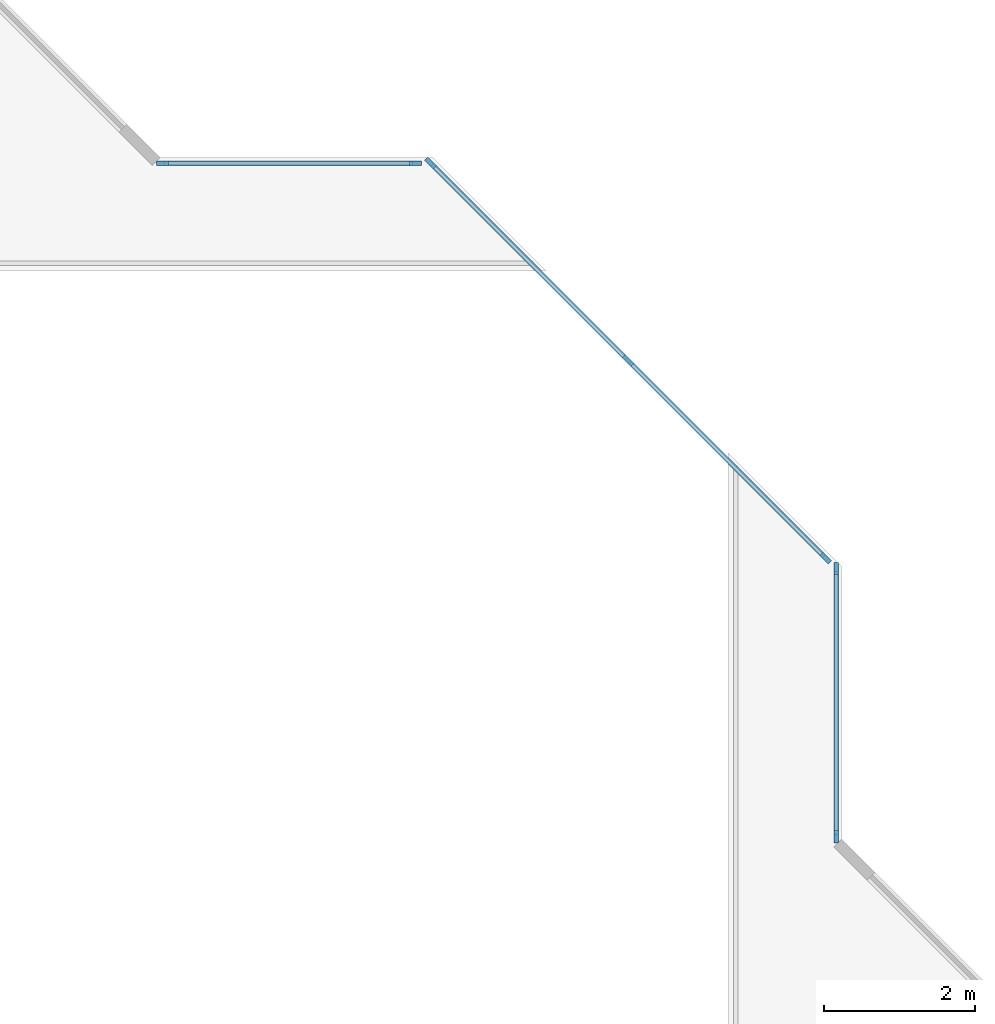
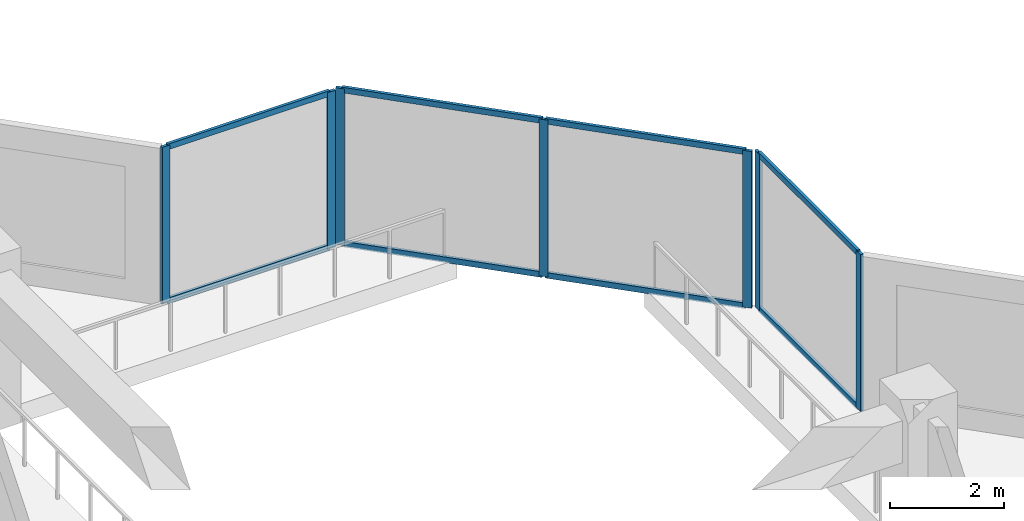
# One storey, part 2 of 16: 15 members, 3 elements without a shape of their own.
"""IFC4 building model written with IfcOpenShell, lengths in metres."""

from ifc_helpers import new_model, si_unit, direction, frame, origin, origin_2d, place, context, subcontext, project, spatial, rectangle, extrude, material, layer, layer_set, material_profile, profile_set, type_object, element, aggregate, save


model = new_model("IFC4")

# Units and contexts
model_context = context("Model", 3, precision=1e-05, world=origin(), true_north=direction((0.0, 1.0)))
body_context = subcontext(model_context, "Body", "Model", "MODEL_VIEW")
ifc_project = project(units=[si_unit("LENGTHUNIT", "METRE"), si_unit("AREAUNIT", "SQUARE_METRE"), si_unit("VOLUMEUNIT", "CUBIC_METRE"), si_unit("PLANEANGLEUNIT", "RADIAN"), si_unit("MASSUNIT", "GRAM", prefix="KILO")], contexts=[model_context])

# Site, building, storey
site_placement = place(None, origin())
site = spatial("IfcSite", under=ifc_project, at=site_placement, CompositionType="ELEMENT")
building_placement = place(site_placement, origin())
building = spatial("IfcBuilding", under=site, at=building_placement, Name="Chenar Terraces", CompositionType="ELEMENT")
storey_placement = place(building_placement, frame((0.0, 0.0, 103.14990234375)))
storey = spatial("IfcBuildingStorey", under=building, at=storey_placement, Name="L23", CompositionType="ELEMENT", Elevation=103.14990234375)

# Curtain wall, members
ifc_material_1 = material(Name="Aluminium framed glazing", Category="aluminium")
ifc_layer = layer(ifc_material_1, 0.14990234375)
ifc_layer_set = layer_set([ifc_layer], Name="Aluminium framed glazing")
curtain_wall_type = type_object("IfcCurtainWallType", Name="Atrium curtain wall", PredefinedType="NOTDEFINED", material=ifc_layer_set)
placement = place(storey_placement, origin())
curtain_wall_1 = element("IfcCurtainWall", 1, at=placement, inside=storey, type_object=curtain_wall_type, Name="Atrium curtain wall", PredefinedType="NOTDEFINED")
ifc_material_2 = material(Name="Aluminium", Category="aluminium")
ifc_material_profile_1 = material_profile(ifc_material_2, rectangle(XDim=0.06005859375, YDim=0.159912109375, at=origin_2d()), Name="Atrium glazing mullion 60 x 160")
ifc_profile_set_1 = profile_set([ifc_material_profile_1], Name="Aluminium")
member_type_1 = type_object("IfcMemberType", Name="Atrium glazing mullion 60 x 160", PredefinedType="MULLION", material=ifc_profile_set_1)
member_1_placement = place(storey_placement, frame((37.425048828125, 28.530029296875, 0.0), z_axis=(0.0, 0.0, 1.0), x_axis=(-1.0, 0.0, 0.0)))
member_1 = element("IfcMember", 2, at=member_1_placement, type_object=member_type_1, Name="CW1-1 mullion 1", PredefinedType="MULLION", context=body_context, shape_type="SweptSolid", body=[
    extrude(rectangle(XDim=0.06005859375, YDim=0.159912109375, at=origin_2d()), origin(), (0.0, 0.0, 1.0), 3.35009765625),
])
member_2_placement = place(storey_placement, frame((37.425048828125, 32.070068359375, 0.0), z_axis=(0.0, 0.0, 1.0), x_axis=(-1.0, 0.0, 0.0)))
member_2 = element("IfcMember", 3, at=member_2_placement, type_object=member_type_1, Name="CW1-1 mullion 2", PredefinedType="MULLION", context=body_context, shape_type="SweptSolid", body=[
    extrude(rectangle(XDim=0.06005859375, YDim=0.159912109375, at=origin_2d()), origin(), (0.0, 0.0, 1.0), 3.35009765625),
])

curtain_wall_2 = element("IfcCurtainWall", 4, at=placement, inside=storey, type_object=curtain_wall_type, Name="Atrium curtain wall", PredefinedType="NOTDEFINED")
member_3_placement = place(storey_placement, frame((37.284423828125, 32.209716796875, 0.0), z_axis=(0.0, 0.0, 1.0), x_axis=(-0.707106781187, -0.707106781187, 0.0)))
member_3 = element("IfcMember", 5, at=member_3_placement, type_object=member_type_1, Name="CW1-2 mullion 1", PredefinedType="MULLION", context=body_context, shape_type="SweptSolid", body=[
    extrude(rectangle(XDim=0.06005859375, YDim=0.159912109375, at=origin_2d()), origin(), (0.0, 0.0, 1.0), 3.35009765625),
])
member_4_placement = place(storey_placement, frame((34.67626953125, 34.817626953125, 0.0), z_axis=(0.0, 0.0, 1.0), x_axis=(-0.707106781187, -0.707106781187, 0.0)))
member_4 = element("IfcMember", 6, at=member_4_placement, type_object=member_type_1, Name="CW1-2 mullion 2", PredefinedType="MULLION", context=body_context, shape_type="SweptSolid", body=[
    extrude(rectangle(XDim=0.06005859375, YDim=0.159912109375, at=origin_2d()), origin(), (0.0, 0.0, 1.0), 3.35009765625),
])
member_5_placement = place(storey_placement, frame((32.068115234375, 37.42578125, 0.0), z_axis=(0.0, 0.0, 1.0), x_axis=(-0.707106781187, -0.707106781187, 0.0)))
member_5 = element("IfcMember", 7, at=member_5_placement, type_object=member_type_1, Name="CW1-2 mullion 3", PredefinedType="MULLION", context=body_context, shape_type="SweptSolid", body=[
    extrude(rectangle(XDim=0.06005859375, YDim=0.159912109375, at=origin_2d()), origin(), (0.0, 0.0, 1.0), 3.35009765625),
])

curtain_wall_3 = element("IfcCurtainWall", 8, at=placement, inside=storey, type_object=curtain_wall_type, Name="Atrium curtain wall", PredefinedType="NOTDEFINED")
member_6_placement = place(storey_placement, frame((31.8701171875, 37.425048828125, 0.0), z_axis=(0.0, 0.0, 1.0), x_axis=(0.0, -1.0, 0.0)))
member_6 = element("IfcMember", 9, at=member_6_placement, type_object=member_type_1, Name="CW1-3 mullion 1", PredefinedType="MULLION", context=body_context, shape_type="SweptSolid", body=[
    extrude(rectangle(XDim=0.06005859375, YDim=0.159912109375, at=origin_2d()), origin(), (0.0, 0.0, 1.0), 3.35009765625),
])
member_7_placement = place(storey_placement, frame((28.530029296875, 37.425048828125, 0.0), z_axis=(0.0, 0.0, 1.0), x_axis=(0.0, -1.0, 0.0)))
member_7 = element("IfcMember", 10, at=member_7_placement, type_object=member_type_1, Name="CW1-3 mullion 2", PredefinedType="MULLION", context=body_context, shape_type="SweptSolid", body=[
    extrude(rectangle(XDim=0.06005859375, YDim=0.159912109375, at=origin_2d()), origin(), (0.0, 0.0, 1.0), 3.35009765625),
])

# Member
ifc_material_3 = material(Name="Aluminium", Category="aluminium")
ifc_material_profile_2 = material_profile(ifc_material_3, rectangle(XDim=0.06005859375, YDim=0.1201171875, at=origin_2d()), Name="Atrium glazing transom 60 x 120")
ifc_profile_set_2 = profile_set([ifc_material_profile_2], Name="Aluminium")
member_type_2 = type_object("IfcMemberType", Name="Atrium glazing transom 60 x 120", PredefinedType="USERDEFINED", material=ifc_profile_set_2)
member_8_placement = place(storey_placement, frame((37.425048828125, 28.56005859375, 0.030029296875), z_axis=(0.0, 1.0, 0.0), x_axis=(-1.0, 0.0, 0.0)))
member_8 = element("IfcMember", 11, at=member_8_placement, type_object=member_type_2, Name="CW1-1 transom 1.1", ObjectType="TRANSOM", PredefinedType="USERDEFINED", context=body_context, shape_type="SweptSolid", body=[
    extrude(rectangle(XDim=0.06005859375, YDim=0.1201171875, at=origin_2d()), origin(), (0.0, 0.0, 1.0), 3.47998046875),
])

member_9_placement = place(storey_placement, frame((37.425048828125, 28.56005859375, 3.320068359375), z_axis=(0.0, 1.0, 0.0), x_axis=(-1.0, 0.0, 0.0)))
member_9 = element("IfcMember", 12, at=member_9_placement, type_object=member_type_2, Name="CW1-1 transom 1.2", ObjectType="TRANSOM", PredefinedType="USERDEFINED", context=body_context, shape_type="SweptSolid", body=[
    extrude(rectangle(XDim=0.06005859375, YDim=0.1201171875, at=origin_2d()), origin(), (0.0, 0.0, 1.0), 3.47998046875),
])

aggregate(curtain_wall_1, [member_1, member_2, member_8, member_9])

member_10_placement = place(storey_placement, frame((37.26318359375, 32.230712890625, 0.030029296875), z_axis=(-0.707106781187, 0.707106781187, 0.0), x_axis=(-0.707106781187, -0.707106781187, 0.0)))
member_10 = element("IfcMember", 13, at=member_10_placement, type_object=member_type_2, Name="CW1-2 transom 1.1", ObjectType="TRANSOM", PredefinedType="USERDEFINED", context=body_context, shape_type="SweptSolid", body=[
    extrude(rectangle(XDim=0.06005859375, YDim=0.1201171875, at=origin_2d()), origin(), (0.0, 0.0, 1.0), 3.62841796875),
])

member_11_placement = place(storey_placement, frame((37.26318359375, 32.230712890625, 3.320068359375), z_axis=(-0.707106781187, 0.707106781187, 0.0), x_axis=(-0.707106781187, -0.707106781187, 0.0)))
member_11 = element("IfcMember", 14, at=member_11_placement, type_object=member_type_2, Name="CW1-2 transom 1.2", ObjectType="TRANSOM", PredefinedType="USERDEFINED", context=body_context, shape_type="SweptSolid", body=[
    extrude(rectangle(XDim=0.06005859375, YDim=0.1201171875, at=origin_2d()), origin(), (0.0, 0.0, 1.0), 3.62841796875),
])

member_12_placement = place(storey_placement, frame((34.655029296875, 34.8388671875, 0.030029296875), z_axis=(-0.707106781187, 0.707106781187, 0.0), x_axis=(-0.707106781187, -0.707106781187, 0.0)))
member_12 = element("IfcMember", 15, at=member_12_placement, type_object=member_type_2, Name="CW1-2 transom 2.1", ObjectType="TRANSOM", PredefinedType="USERDEFINED", context=body_context, shape_type="SweptSolid", body=[
    extrude(rectangle(XDim=0.06005859375, YDim=0.1201171875, at=origin_2d()), origin(), (0.0, 0.0, 1.0), 3.62841796875),
])

member_13_placement = place(storey_placement, frame((34.655029296875, 34.8388671875, 3.320068359375), z_axis=(-0.707106781187, 0.707106781187, 0.0), x_axis=(-0.707106781187, -0.707106781187, 0.0)))
member_13 = element("IfcMember", 16, at=member_13_placement, type_object=member_type_2, Name="CW1-2 transom 2.2", ObjectType="TRANSOM", PredefinedType="USERDEFINED", context=body_context, shape_type="SweptSolid", body=[
    extrude(rectangle(XDim=0.06005859375, YDim=0.1201171875, at=origin_2d()), origin(), (0.0, 0.0, 1.0), 3.62841796875),
])

aggregate(curtain_wall_2, [member_3, member_4, member_5, member_10, member_11, member_12, member_13])

member_14_placement = place(storey_placement, frame((31.840087890625, 37.425048828125, 0.030029296875), z_axis=(-1.0, 0.0, 0.0), x_axis=(0.0, -1.0, 0.0)))
member_14 = element("IfcMember", 17, at=member_14_placement, type_object=member_type_2, Name="CW1-3 transom 1.1", ObjectType="TRANSOM", PredefinedType="USERDEFINED", context=body_context, shape_type="SweptSolid", body=[
    extrude(rectangle(XDim=0.06005859375, YDim=0.1201171875, at=origin_2d()), origin(), (0.0, 0.0, 1.0), 3.280029296875),
])

member_15_placement = place(storey_placement, frame((31.840087890625, 37.425048828125, 3.320068359375), z_axis=(-1.0, 0.0, 0.0), x_axis=(0.0, -1.0, 0.0)))
member_15 = element("IfcMember", 18, at=member_15_placement, type_object=member_type_2, Name="CW1-3 transom 1.2", ObjectType="TRANSOM", PredefinedType="USERDEFINED", context=body_context, shape_type="SweptSolid", body=[
    extrude(rectangle(XDim=0.06005859375, YDim=0.1201171875, at=origin_2d()), origin(), (0.0, 0.0, 1.0), 3.280029296875),
])

aggregate(curtain_wall_3, [member_6, member_7, member_14, member_15])

save(model, "model.ifc")
